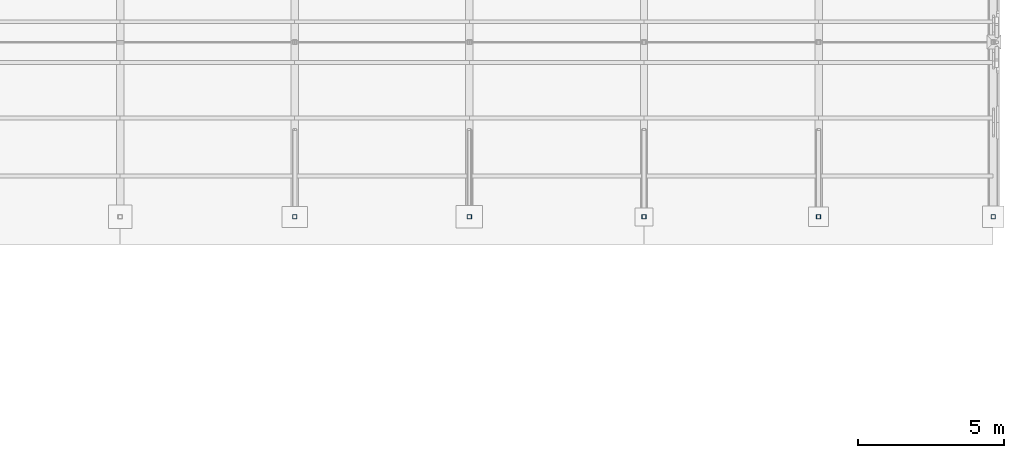
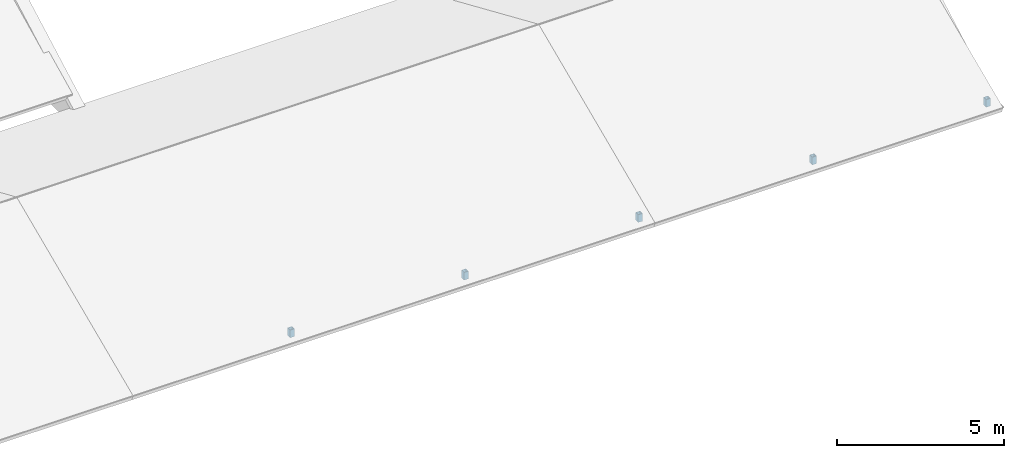
# One storey, part 33 of 59: 5 members.
"""IFC4 building model written with IfcOpenShell, lengths in metres."""

from ifc_helpers import new_model, si_unit, direction, frame, origin, origin_2d, place, context, subcontext, project, spatial, hollow_rectangle, extrude, material, material_profile, profile_set, type_object, element, save


model = new_model("IFC4")

# Units and contexts
model_context = context("Model", 3, precision=1e-05, world=origin(), true_north=direction((0.0, 1.0)))
body_context = subcontext(model_context, "Body", "Model", "MODEL_VIEW")
ifc_project = project(units=[si_unit("LENGTHUNIT", "METRE"), si_unit("AREAUNIT", "SQUARE_METRE"), si_unit("VOLUMEUNIT", "CUBIC_METRE"), si_unit("PLANEANGLEUNIT", "RADIAN"), si_unit("MASSUNIT", "GRAM", prefix="KILO")], contexts=[model_context])

# Site, building, storey
site_placement = place(None, origin())
site = spatial("IfcSite", under=ifc_project, at=site_placement, CompositionType="ELEMENT")
building_placement = place(site_placement, origin())
building = spatial("IfcBuilding", under=site, at=building_placement, Name="Cumevento Cable Car Station", CompositionType="ELEMENT")
storey_placement = place(building_placement, frame((0.0, 0.0, 18.0)))
storey = spatial("IfcBuildingStorey", under=building, at=storey_placement, Name="L05", CompositionType="ELEMENT", Elevation=18.0)

# Members
ifc_material = material(Name="Steel ASTM A572 Grade 50", Category="steel")
ifc_material_profile = material_profile(ifc_material, hollow_rectangle(XDim=0.14990234375, YDim=0.14990234375, WallThickness=0.010009765625, at=origin_2d()), Name="HSS150x150x10.0")
ifc_profile_set = profile_set([ifc_material_profile], Name="Steel ASTM A572 Grade 50")
member_type = type_object("IfcMemberType", Name="Framing Post TD-04 HSS150x150x10.0", PredefinedType="POST", material=ifc_profile_set)
for number, where, z_axis, x_axis, name in (
    (1, (142.0, 33.0, 0.0), (0.0, 0.0, 1.0), (1.0, 0.0, 0.0), "Cabin Garage Truss Heel Post #360"),
    (2, (148.0, 33.0, 0.0), (0.0, 0.0, 1.0), (1.0, 0.0, 0.0), "Cabin Garage Truss Heel Post #368"),
    (3, (154.0, 33.0, 0.0), (0.0, 0.0, 1.0), (1.0, 0.0, 0.0), "Cabin Garage Truss Heel Post #376"),
    (4, (160.0, 33.0, 0.0), (0.0, 0.0, 1.0), (1.0, 0.0, 0.0), "Cabin Garage Truss Heel Post #384"),
    (5, (166.0, 33.0, 0.0), (0.0, 0.0, 1.0), (1.0, 0.0, 0.0), "Cabin Garage Truss Heel Post #392"),
):
    element("IfcMember", number, at=place(storey_placement, frame(where, z_axis=z_axis, x_axis=x_axis)), inside=storey, type_object=member_type, Name=name, PredefinedType="POST", context=body_context, shape_type="SweptSolid", body=[
        extrude(hollow_rectangle(XDim=0.14990234375, YDim=0.14990234375, WallThickness=0.010009765625, at=origin_2d()), origin(), (0.0, 0.0, 1.0), 0.280029296875),
    ])

save(model, "model.ifc")
